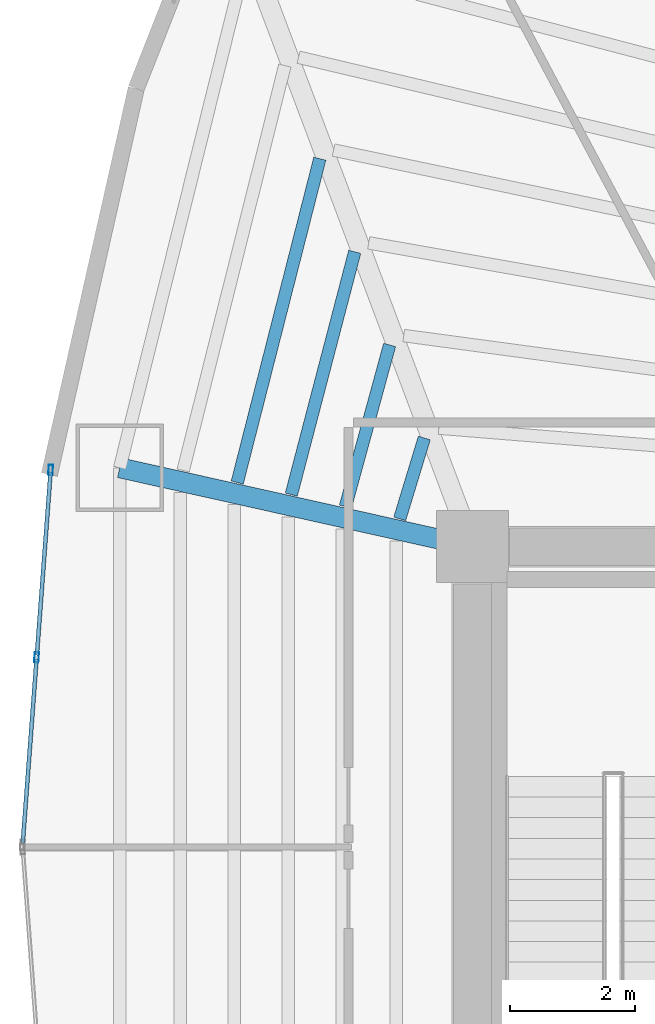
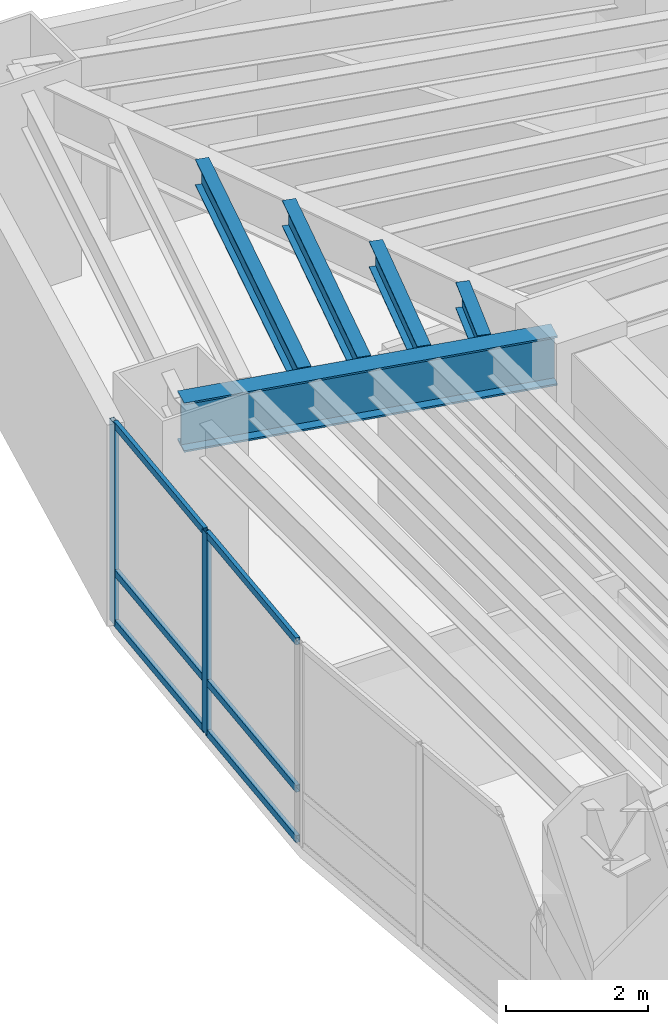
# One storey, part 7 of 18: 8 members, 5 beams, 1 element without a shape of its own.
"""IFC4 building model written with IfcOpenShell, lengths in metres."""

import ifcopenshell
import ifcopenshell.guid

model = None  # the IFC model being written
_history = None  # IfcOwnerHistory: only IFC2X3 demands one
_inside = {}  # id of a spatial element -> (the spatial element, [elements in it])
_under = {}  # id of a project, library or spatial element -> (it, [spatial elements below it])
_declared = {}  # id of a project -> (the project, [libraries it declares])
_typed = {}  # id of a type object -> (the type object, [elements of that type])
_made_of = {}  # id of a material, layer set ... -> (it, [elements and type objects made of it])


def new_model(schema):
    """Start an empty IFC model of exactly this schema.

    Asked for "IFC4X3", IfcOpenShell would pick the latest addendum, in which some entities
    have other attributes; the version numbers below select the first issue.
    IFC2X3 requires an IfcOwnerHistory on every rooted entity: one is made here for all.
    """
    global model, _history
    if schema == "IFC4X3":
        model = ifcopenshell.file(schema_version=(4, 3, 0, 0))
    else:
        model = ifcopenshell.file(schema=schema)
    _inside.clear()
    _under.clear()
    _declared.clear()
    _typed.clear()
    _made_of.clear()
    _history = None
    if model.schema == "IFC2X3":
        org = make("IfcOrganization", Name="unknown")
        user = make(
            "IfcPersonAndOrganization",
            ThePerson=make("IfcPerson", FamilyName="unknown"),
            TheOrganization=org,
        )
        app = make(
            "IfcApplication",
            ApplicationDeveloper=org,
            Version="unknown",
            ApplicationFullName="unknown",
            ApplicationIdentifier="unknown",
        )
        _history = make(
            "IfcOwnerHistory",
            OwningUser=user,
            OwningApplication=app,
            ChangeAction="ADDED",
            CreationDate=0,
        )
    return model


def make(cls, **values):
    """One entity of the class cls with the attributes given. An attribute that is None is left unset."""
    return model.create_entity(
        cls, **{name: value for name, value in values.items() if value is not None}
    )


def rooted(cls, **values):
    """An entity with a GlobalId (a new one), such as an element, a storey or a relation."""
    return make(cls, GlobalId=ifcopenshell.guid.new(), OwnerHistory=_history, **values)


def si_unit(unit_type, name, prefix=None):
    """IfcSIUnit, for example si_unit("LENGTHUNIT", "METRE", prefix="MILLI")."""
    return make("IfcSIUnit", UnitType=unit_type, Prefix=prefix, Name=name)


def assignment(units):
    """IfcUnitAssignment: the units of a project."""
    return None if units is None else make("IfcUnitAssignment", Units=units)


def point(xyz):
    """IfcCartesianPoint."""
    return None if xyz is None else make("IfcCartesianPoint", Coordinates=xyz)


def direction(xyz):
    """IfcDirection."""
    return None if xyz is None else make("IfcDirection", DirectionRatios=xyz)


def frame(location, z_axis=None, x_axis=None):
    """IfcAxis2Placement3D, a coordinate frame: its origin and axes. An axis left out is left unset."""
    return make(
        "IfcAxis2Placement3D",
        Location=point(location),
        Axis=direction(z_axis),
        RefDirection=direction(x_axis),
    )


def frame_2d(location, x_axis=None):
    """IfcAxis2Placement2D, a coordinate frame in the plane: its origin and x axis."""
    return make(
        "IfcAxis2Placement2D", Location=point(location), RefDirection=direction(x_axis)
    )


def origin():
    """The frame at (0, 0, 0) with its axes left unset."""
    return frame((0.0, 0.0, 0.0))


def origin_2d():
    """The frame at (0, 0) in the plane with its x axis left unset."""
    return frame_2d((0.0, 0.0))


def place(relative_to, where):
    """IfcLocalPlacement: puts the frame where relative to a parent placement (None: the world)."""
    return make(
        "IfcLocalPlacement", PlacementRelTo=relative_to, RelativePlacement=where
    )


def context(
    kind, dimensions, precision=None, world=None, true_north=None, identifier=None
):
    """IfcGeometricRepresentationContext, for example the 3D "Model" context."""
    return make(
        "IfcGeometricRepresentationContext",
        ContextIdentifier=identifier,
        ContextType=kind,
        CoordinateSpaceDimension=dimensions,
        Precision=precision,
        WorldCoordinateSystem=world,
        TrueNorth=true_north,
    )


def subcontext(parent, identifier, kind, view, scale=None):
    """IfcGeometricRepresentationSubContext, for example "Body" below "Model"."""
    return make(
        "IfcGeometricRepresentationSubContext",
        ContextIdentifier=identifier,
        ContextType=kind,
        ParentContext=parent,
        TargetScale=scale,
        TargetView=view,
    )


def project(units=None, contexts=None):
    """IfcProject with its units and contexts."""
    return rooted(
        "IfcProject",
        Name="project",
        RepresentationContexts=contexts,
        UnitsInContext=assignment(units),
    )


def spatial(cls, under=None, at=None, **own):
    """A site, building, storey or space (cls), placed at a placement, below another one or the project."""
    s = rooted(cls, ObjectPlacement=at, **own)
    if under is not None:
        _under.setdefault(under.id(), (under, []))[1].append(s)
    return s


def profile(cls, at=None, kind="AREA", **sizes):
    """A parametric profile (cls). Its sizes go by their IFC names, for example OverallWidth=200.0."""
    return make(cls, ProfileType=kind, Position=at, **sizes)


def hollow_rectangle(**sizes):
    """IfcRectangleHollowProfileDef."""
    return profile("IfcRectangleHollowProfileDef", **sizes)


def i_section(**sizes):
    """IfcIShapeProfileDef."""
    return profile("IfcIShapeProfileDef", **sizes)


def extrude(swept, where, along, depth):
    """IfcExtrudedAreaSolid: the profile swept, set in the frame where, extruded along a direction by depth."""
    return make(
        "IfcExtrudedAreaSolid",
        SweptArea=swept,
        Position=where,
        ExtrudedDirection=direction(along),
        Depth=depth,
    )


def shape(context_of_items, identifier, shape_type, items):
    """IfcShapeRepresentation: the items that make up one representation, for example the "Body"."""
    return make(
        "IfcShapeRepresentation",
        ContextOfItems=context_of_items,
        RepresentationIdentifier=identifier,
        RepresentationType=shape_type,
        Items=items,
    )


def material(Name=None, Category=None):
    """IfcMaterial."""
    return make("IfcMaterial", Name=Name, Category=Category)


def layer(
    of_material, thickness, ventilated=None, Name=None, Category=None, Priority=None
):
    """IfcMaterialLayer: one layer of a wall or slab, of a material (None: an air gap)."""
    return make(
        "IfcMaterialLayer",
        Material=of_material,
        LayerThickness=thickness,
        IsVentilated=ventilated,
        Name=Name,
        Category=Category,
        Priority=Priority,
    )


def layer_set(layers, Name=None):
    """IfcMaterialLayerSet."""
    return make("IfcMaterialLayerSet", MaterialLayers=layers, LayerSetName=Name)


def material_profile(
    of_material, cross_section, Name=None, Category=None, Priority=None
):
    """IfcMaterialProfile: a cross section and its material."""
    return make(
        "IfcMaterialProfile",
        Name=Name,
        Material=of_material,
        Profile=cross_section,
        Priority=Priority,
        Category=Category,
    )


def profile_set(profiles, Name=None, composite=None):
    """IfcMaterialProfileSet."""
    return make(
        "IfcMaterialProfileSet",
        Name=Name,
        MaterialProfiles=profiles,
        CompositeProfile=composite,
    )


def made_of(thing, what):
    """Note that an element or type object is made of a material, layer set ...; save() writes the relation."""
    if what is not None:
        _made_of.setdefault(what.id(), (what, []))[1].append(thing)
    return thing


def type_object(cls, material=None, **own):
    """A type object (cls), such as IfcWallType, which elements share."""
    return made_of(rooted(cls, **own), material)


def element(
    cls,
    number,
    at=None,
    inside=None,
    cuts=None,
    type_object=None,
    material=None,
    context=None,
    identifier="Body",
    shape_type=None,
    held_by="IfcProductDefinitionShape",
    body=None,
    shapes=None,
    **own,
):
    """One element of the class cls, such as IfcWall. Its Tag is "e" and its number.

    at: its placement. inside: the storey or other place that contains it. cuts: it is an
    opening in that element (IfcRelVoidsElement). A single representation is given by context,
    identifier, shape_type and body (its items); several are given by shapes. held_by: the class
    of the entity that holds the representations. save() writes the other relations.
    """
    e = rooted(cls, Tag="e%d" % number, ObjectPlacement=at, **own)
    if body is not None:
        shapes = [shape(context, identifier, shape_type, body)]
    if shapes is not None:
        e.Representation = make(held_by, Representations=shapes)
    if inside is not None:
        _inside.setdefault(inside.id(), (inside, []))[1].append(e)
    if cuts is not None:
        rooted(
            "IfcRelVoidsElement", RelatingBuildingElement=cuts, RelatedOpeningElement=e
        )
    if type_object is not None:
        _typed.setdefault(type_object.id(), (type_object, []))[1].append(e)
    return made_of(e, material)


def aggregate(whole, parts):
    """IfcRelAggregates: a whole, such as a stair, and the parts it consists of."""
    return rooted("IfcRelAggregates", RelatingObject=whole, RelatedObjects=parts)


def save(model, path):
    """Write the relations noted so far, then the file.

    IfcRelAggregates (storeys below a building ...), IfcRelContainedInSpatialStructure (elements
    in a storey), IfcRelDefinesByType, IfcRelAssociatesMaterial and IfcRelDeclares: one each for
    every whole, place, type object, material and project.
    """
    for whole, parts in _under.values():
        aggregate(whole, parts)
    for where, things in _inside.values():
        rooted(
            "IfcRelContainedInSpatialStructure",
            RelatedElements=things,
            RelatingStructure=where,
        )
    for kind, things in _typed.values():
        rooted("IfcRelDefinesByType", RelatedObjects=things, RelatingType=kind)
    for what, things in _made_of.values():
        rooted("IfcRelAssociatesMaterial", RelatedObjects=things, RelatingMaterial=what)
    for by, libraries in _declared.values():
        rooted("IfcRelDeclares", RelatingContext=by, RelatedDefinitions=libraries)
    model.write(path)


model = new_model("IFC4")

# Units and contexts
model_context = context("Model", 3, precision=1e-05, world=origin(), true_north=direction((0.0, 1.0)))
body_context = subcontext(model_context, "Body", "Model", "MODEL_VIEW")
ifc_project = project(units=[si_unit("LENGTHUNIT", "METRE"), si_unit("AREAUNIT", "SQUARE_METRE"), si_unit("VOLUMEUNIT", "CUBIC_METRE"), si_unit("PLANEANGLEUNIT", "RADIAN"), si_unit("MASSUNIT", "GRAM", prefix="KILO")], contexts=[model_context])

# Site, building, storey
site_placement = place(None, origin())
site = spatial("IfcSite", under=ifc_project, at=site_placement, CompositionType="ELEMENT")
building_placement = place(site_placement, origin())
building = spatial("IfcBuilding", under=site, at=building_placement, Name="Menara Vayukalpa", CompositionType="ELEMENT")
storey_placement = place(building_placement, frame((0.0, 0.0, 31.320068359375)))
storey = spatial("IfcBuildingStorey", under=building, at=storey_placement, Name="L06", CompositionType="ELEMENT", Elevation=31.320068359375)

# Beams
ifc_material_1 = material(Name="Steel S355", Category="steel")
ifc_material_profile_1 = material_profile(ifc_material_1, i_section(OverallWidth=0.320068359375, OverallDepth=0.85009765625, WebThickness=0.01611328125, FlangeThickness=0.030029296875, at=origin_2d()), Name="WF 850x320x16x30")
ifc_profile_set_1 = profile_set([ifc_material_profile_1], Name="Steel S355")
beam_type_1 = type_object("IfcBeamType", Name="BM-PG2", PredefinedType="BEAM", material=ifc_profile_set_1)
beam_1_placement = place(storey_placement, frame((17.555908203125, 26.8544921875, 3.044921875), z_axis=(-0.975920137818, 0.218128138031, 0.0), x_axis=(-0.218128138031, -0.975920137818, 0.0)))
element("IfcBeam", 1, at=beam_1_placement, inside=storey, type_object=beam_type_1, Name="L06 Primary Radial Girder RG05", PredefinedType="BEAM", context=body_context, shape_type="SweptSolid", body=[
    extrude(i_section(OverallWidth=0.320068359375, OverallDepth=0.85009765625, WebThickness=0.01611328125, FlangeThickness=0.030029296875, at=origin_2d()), origin(), (0.0, 0.0, 1.0), 5.524658203125),
])
ifc_material_2 = material(Name="Steel S355", Category="steel")
ifc_material_profile_2 = material_profile(ifc_material_2, i_section(OverallWidth=0.199951171875, OverallDepth=0.449951171875, WebThickness=0.009033203125, FlangeThickness=0.013916015625, at=origin_2d()), Name="WF 450x200x9x14")
ifc_profile_set_2 = profile_set([ifc_material_profile_2], Name="Steel S355")
beam_type_2 = type_object("IfcBeamType", Name="BM-SJ1", PredefinedType="JOIST", material=ifc_profile_set_2)
beam_2_placement = place(storey_placement, frame((17.03076171875, 28.535888671875, 3.244873046875), z_axis=(-0.291010568606, -0.956719838281, 0.0), x_axis=(0.956719838281, -0.291010568606, 0.0)))
element("IfcBeam", 2, at=beam_2_placement, inside=storey, type_object=beam_type_2, Name="L06 Secondary Floor Joist SJ04-1", PredefinedType="JOIST", context=body_context, shape_type="SweptSolid", body=[
    extrude(i_section(OverallWidth=0.199951171875, OverallDepth=0.449951171875, WebThickness=0.009033203125, FlangeThickness=0.013916015625, at=origin_2d()), origin(), (0.0, 0.0, 1.0), 1.3505859375),
])
beam_3_placement = place(storey_placement, frame((16.4765625, 30.0224609375, 3.244873046875), z_axis=(-0.263618546233, -0.964627006714, 0.0), x_axis=(0.964627006714, -0.263618546233, 0.0)))
element("IfcBeam", 3, at=beam_3_placement, inside=storey, type_object=beam_type_2, Name="L06 Secondary Floor Joist SJ04-2", PredefinedType="JOIST", context=body_context, shape_type="SweptSolid", body=[
    extrude(i_section(OverallWidth=0.199951171875, OverallDepth=0.449951171875, WebThickness=0.009033203125, FlangeThickness=0.013916015625, at=origin_2d()), origin(), (0.0, 0.0, 1.0), 2.67919921875),
])
beam_4_placement = place(storey_placement, frame((15.919189453125, 31.510009765625, 3.244873046875), z_axis=(-0.25283833468, -0.967508540798, 0.0), x_axis=(0.967508540798, -0.25283833468, 0.0)))
element("IfcBeam", 4, at=beam_4_placement, inside=storey, type_object=beam_type_2, Name="L06 Secondary Floor Joist SJ04-3", PredefinedType="JOIST", context=body_context, shape_type="SweptSolid", body=[
    extrude(i_section(OverallWidth=0.199951171875, OverallDepth=0.449951171875, WebThickness=0.009033203125, FlangeThickness=0.013916015625, at=origin_2d()), origin(), (0.0, 0.0, 1.0), 4.00927734375),
])
beam_5_placement = place(storey_placement, frame((15.361328125, 32.997802734375, 3.244873046875), z_axis=(-0.247105572938, -0.968988563309, 0.0), x_axis=(0.968988563309, -0.247105572938, 0.0)))
element("IfcBeam", 5, at=beam_5_placement, inside=storey, type_object=beam_type_2, Name="L06 Secondary Floor Joist SJ04-4", PredefinedType="JOIST", context=body_context, shape_type="SweptSolid", body=[
    extrude(i_section(OverallWidth=0.199951171875, OverallDepth=0.449951171875, WebThickness=0.009033203125, FlangeThickness=0.013916015625, at=origin_2d()), origin(), (0.0, 0.0, 1.0), 5.339111328125),
])

# Curtain wall, members
ifc_material_3 = material(Name="Anodised Terracotta Aluminium Alloy 6063-T6", Category="masonry")
ifc_layer = layer(ifc_material_3, 0.1650390625)
ifc_layer_set = layer_set([ifc_layer], Name="Anodised Terracotta Aluminium Alloy 6063-T6")
curtain_wall_type = type_object("IfcCurtainWallType", Name="CW-CW2", PredefinedType="USERDEFINED", material=ifc_layer_set)
curtain_wall_placement = place(storey_placement, origin())
curtain_wall = element("IfcCurtainWall", 6, at=curtain_wall_placement, inside=storey, type_object=curtain_wall_type, Name="L06 Low Rise Terracotta Ribbon Curtain Wall CW2 10", ObjectType="UNITISED", PredefinedType="USERDEFINED")
ifc_material_4 = material(Name="Anodised Terracotta Aluminium Alloy 6063-T6", Category="masonry")
ifc_material_profile_3 = material_profile(ifc_material_4, hollow_rectangle(XDim=0.070068359375, YDim=0.1650390625, WallThickness=0.00390625, at=origin_2d()), Name="ALU 70x165x4")
ifc_profile_set_3 = profile_set([ifc_material_profile_3], Name="Anodised Terracotta Aluminium Alloy 6063-T6")
member_type_1 = type_object("IfcMemberType", Name="CWM-CW2", PredefinedType="MULLION", material=ifc_profile_set_3)
member_1_placement = place(storey_placement, frame((11.0615234375, 28.024658203125, 0.0), z_axis=(0.0, 0.0, 1.0), x_axis=(0.997198941676, -0.074794857576, 0.0)))
member_1 = element("IfcMember", 7, at=member_1_placement, type_object=member_type_1, Name="CW2 mullion 1", PredefinedType="MULLION", context=body_context, shape_type="SweptSolid", body=[
    extrude(hollow_rectangle(XDim=0.070068359375, YDim=0.1650390625, WallThickness=0.00390625, at=origin_2d()), origin(), (0.0, 0.0, 1.0), 3.469970703125),
])
member_2_placement = place(storey_placement, frame((10.8369140625, 25.02978515625, 0.0), z_axis=(0.0, 0.0, 1.0), x_axis=(0.997198941676, -0.074794857576, 0.0)))
member_2 = element("IfcMember", 8, at=member_2_placement, type_object=member_type_1, Name="CW2 mullion 2", PredefinedType="MULLION", context=body_context, shape_type="SweptSolid", body=[
    extrude(hollow_rectangle(XDim=0.070068359375, YDim=0.1650390625, WallThickness=0.00390625, at=origin_2d()), origin(), (0.0, 0.0, 1.0), 3.469970703125),
])
ifc_material_5 = material(Name="Anodised Terracotta Aluminium Alloy 6063-T6", Category="masonry")
ifc_material_profile_4 = material_profile(ifc_material_5, hollow_rectangle(XDim=0.06494140625, YDim=0.1201171875, WallThickness=0.00341796875, at=origin_2d()), Name="ALU 65x120x3.5")
ifc_profile_set_4 = profile_set([ifc_material_profile_4], Name="Anodised Terracotta Aluminium Alloy 6063-T6")
member_type_2 = type_object("IfcMemberType", Name="CWT-CW2", PredefinedType="USERDEFINED", material=ifc_profile_set_4)
member_3_placement = place(storey_placement, frame((11.05908203125, 27.98974609375, 0.032470703125), z_axis=(-0.074825123723, -0.997196671103, 0.0), x_axis=(0.997196671103, -0.074825123723, 0.0)))
member_3 = element("IfcMember", 9, at=member_3_placement, type_object=member_type_2, Name="CW2 transom 1.1", ObjectType="TRANSOM", PredefinedType="USERDEFINED", context=body_context, shape_type="SweptSolid", body=[
    extrude(hollow_rectangle(XDim=0.06494140625, YDim=0.1201171875, WallThickness=0.00341796875, at=origin_2d()), origin(), (0.0, 0.0, 1.0), 2.933349609375),
])
member_4_placement = place(storey_placement, frame((11.05908203125, 27.98974609375, 0.89990234375), z_axis=(-0.074825123723, -0.997196671103, 0.0), x_axis=(0.997196671103, -0.074825123723, 0.0)))
member_4 = element("IfcMember", 10, at=member_4_placement, type_object=member_type_2, Name="CW2 transom 1.2", ObjectType="TRANSOM", PredefinedType="USERDEFINED", context=body_context, shape_type="SweptSolid", body=[
    extrude(hollow_rectangle(XDim=0.06494140625, YDim=0.1201171875, WallThickness=0.00341796875, at=origin_2d()), origin(), (0.0, 0.0, 1.0), 2.933349609375),
])
member_5_placement = place(storey_placement, frame((11.05908203125, 27.98974609375, 3.4375), z_axis=(-0.074825123723, -0.997196671103, 0.0), x_axis=(0.997196671103, -0.074825123723, 0.0)))
member_5 = element("IfcMember", 11, at=member_5_placement, type_object=member_type_2, Name="CW2 transom 1.3", ObjectType="TRANSOM", PredefinedType="USERDEFINED", context=body_context, shape_type="SweptSolid", body=[
    extrude(hollow_rectangle(XDim=0.06494140625, YDim=0.1201171875, WallThickness=0.00341796875, at=origin_2d()), origin(), (0.0, 0.0, 1.0), 2.933349609375),
])
member_6_placement = place(storey_placement, frame((10.834228515625, 24.994873046875, 0.032470703125), z_axis=(-0.074742357441, -0.997202878057, 0.0), x_axis=(0.997202878057, -0.074742357441, 0.0)))
member_6 = element("IfcMember", 12, at=member_6_placement, type_object=member_type_2, Name="CW2 transom 2.1", ObjectType="TRANSOM", PredefinedType="USERDEFINED", context=body_context, shape_type="SweptSolid", body=[
    extrude(hollow_rectangle(XDim=0.06494140625, YDim=0.1201171875, WallThickness=0.00341796875, at=origin_2d()), origin(), (0.0, 0.0, 1.0), 2.933349609375),
])
member_7_placement = place(storey_placement, frame((10.834228515625, 24.994873046875, 0.89990234375), z_axis=(-0.074742357441, -0.997202878057, 0.0), x_axis=(0.997202878057, -0.074742357441, 0.0)))
member_7 = element("IfcMember", 13, at=member_7_placement, type_object=member_type_2, Name="CW2 transom 2.2", ObjectType="TRANSOM", PredefinedType="USERDEFINED", context=body_context, shape_type="SweptSolid", body=[
    extrude(hollow_rectangle(XDim=0.06494140625, YDim=0.1201171875, WallThickness=0.00341796875, at=origin_2d()), origin(), (0.0, 0.0, 1.0), 2.933349609375),
])
member_8_placement = place(storey_placement, frame((10.834228515625, 24.994873046875, 3.4375), z_axis=(-0.074742357441, -0.997202878057, 0.0), x_axis=(0.997202878057, -0.074742357441, 0.0)))
member_8 = element("IfcMember", 14, at=member_8_placement, type_object=member_type_2, Name="CW2 transom 2.3", ObjectType="TRANSOM", PredefinedType="USERDEFINED", context=body_context, shape_type="SweptSolid", body=[
    extrude(hollow_rectangle(XDim=0.06494140625, YDim=0.1201171875, WallThickness=0.00341796875, at=origin_2d()), origin(), (0.0, 0.0, 1.0), 2.933349609375),
])
aggregate(curtain_wall, [member_1, member_2, member_3, member_4, member_5, member_6, member_7, member_8])

save(model, "model.ifc")
